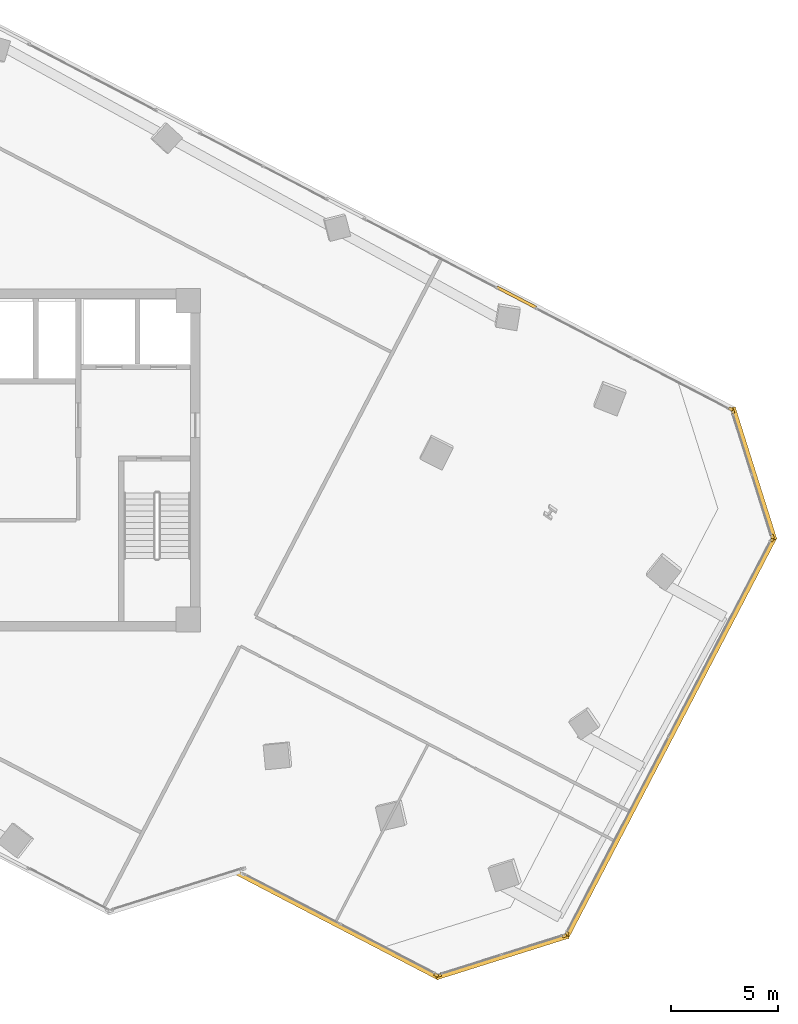
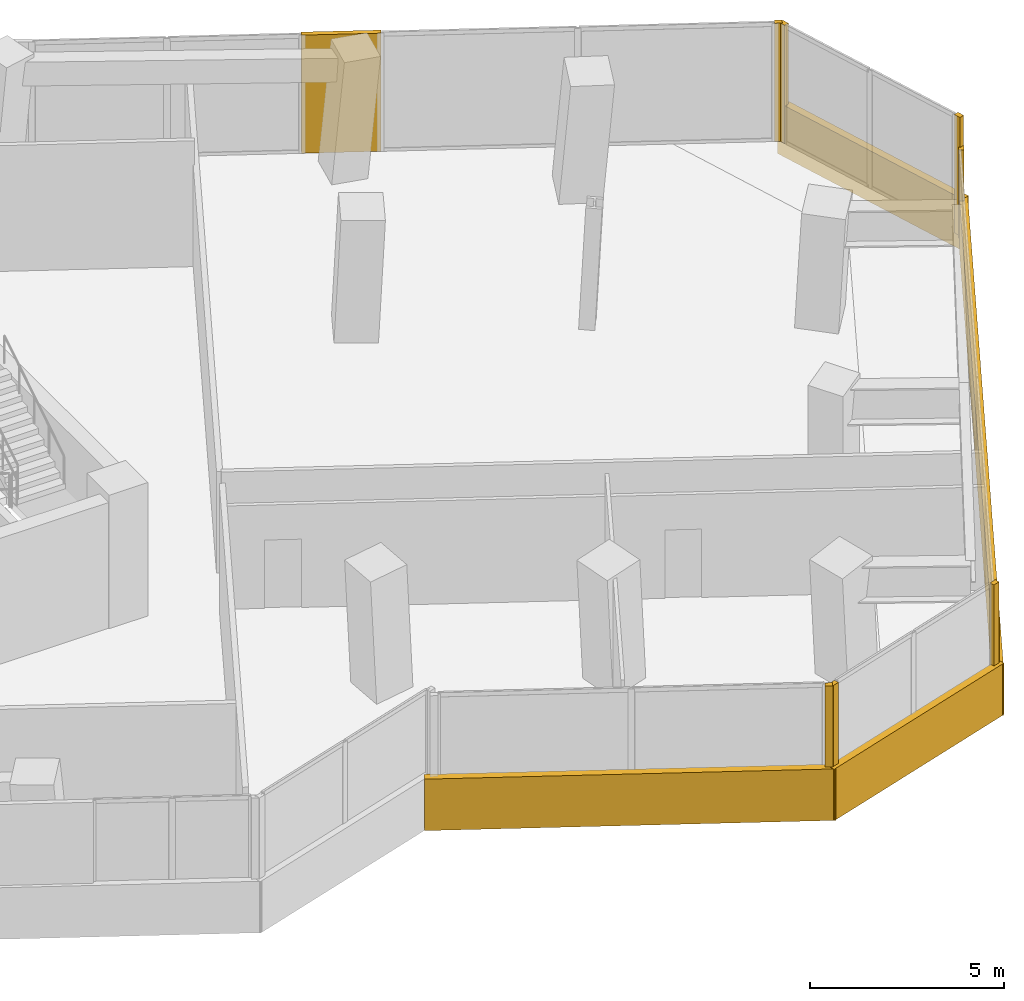
# One storey, part 21 of 22: 13 coverings.
"""IFC4 building model written with IfcOpenShell, lengths in metres."""

from ifc_helpers import new_model, si_unit, direction, frame, origin, origin_2d, place, context, subcontext, project, spatial, rectangle, extrude, source, transform, mapped, material, layer, layer_set, type_object, element, save


model = new_model("IFC4")

# Units and contexts
model_context = context("Model", 3, precision=1e-05, world=origin(), true_north=direction((0.0, 1.0)))
body_context = subcontext(model_context, "Body", "Model", "MODEL_VIEW")
ifc_project = project(units=[si_unit("LENGTHUNIT", "METRE"), si_unit("AREAUNIT", "SQUARE_METRE"), si_unit("VOLUMEUNIT", "CUBIC_METRE"), si_unit("PLANEANGLEUNIT", "RADIAN"), si_unit("MASSUNIT", "GRAM", prefix="KILO")], contexts=[model_context])

# Site, building, storey
site_placement = place(None, origin())
site = spatial("IfcSite", under=ifc_project, at=site_placement, CompositionType="ELEMENT")
building_placement = place(site_placement, origin())
building = spatial("IfcBuilding", under=site, at=building_placement, Name="Torre Montelarca", CompositionType="ELEMENT")
storey_placement = place(building_placement, frame((0.0, 0.0, 170.800048828125)))
storey = spatial("IfcBuildingStorey", under=building, at=storey_placement, Name="L38", CompositionType="ELEMENT", Elevation=170.800048828125)

# Coverings
ifc_material = material(Name="Bush-hammered warm white precast concrete C45/55", Category="concrete")
ifc_layer = layer(ifc_material, 0.139892578125, Name="Bush-hammered warm white precast concrete C45/55", Category="concrete")
ifc_layer_set = layer_set([ifc_layer], Name="Bush-hammered warm white precast concrete C45/55")
covering_type = type_object("IfcCoveringType", Name="COV-TRAY-CLAD", PredefinedType="CLADDING", material=ifc_layer_set)
shared_shape_1 = source(origin(), body_context, "Body", "SweptSolid", [
    extrude(rectangle(XDim=6.48388671875, YDim=0.219970703125, at=origin_2d()), origin(), (0.0, 0.0, 1.0), 1.6201171875),
])
for number, where, z_axis, x_axis, name in (
    (1, (41.127197265625, 8.785400390625, -0.4501953125), (0.0, 0.0, 1.0), (0.953721674106, 0.300690818516, 0.0), "L38 Architectural White Spandrel Tray Band TRYBOT-05"),
    (2, (52.882080078125, 31.36669921875, -0.4501953125), (0.0, 0.0, 1.0), (-0.300709128603, 0.953715901081, 0.0), "L38 Architectural White Spandrel Tray Band TRYBOT-07"),
):
    element("IfcCovering", number, at=place(storey_placement, frame(where, z_axis=z_axis, x_axis=x_axis)), inside=storey, type_object=covering_type, Name=name, PredefinedType="CLADDING", context=body_context, shape_type="MappedRepresentation", body=[
        mapped(shared_shape_1, transform((0.0, 0.0, 0.0), scale=1.0)),
    ])
shared_shape_2 = source(origin(), body_context, "Body", "SweptSolid", [
    extrude(rectangle(XDim=21.1201171875, YDim=0.219970703125, at=origin_2d()), origin(), (0.0, 0.0, 1.0), 1.6201171875),
])
covering_1_placement = place(storey_placement, frame((48.99267578125, 19.041015625, -0.4501953125), z_axis=(0.0, 0.0, 1.0), x_axis=(0.461747065108, 0.88701163908, 0.0)))
element("IfcCovering", 3, at=covering_1_placement, inside=storey, type_object=covering_type, Name="L38 Architectural White Spandrel Tray Band TRYBOT-06", PredefinedType="CLADDING", context=body_context, shape_type="MappedRepresentation", body=[
    mapped(shared_shape_2, transform((0.0, 0.0, 0.0), scale=1.0)),
])
shared_shape_3 = source(origin(), body_context, "Body", "SweptSolid", [
    extrude(rectangle(XDim=0.199951171875, YDim=0.139892578125, at=origin_2d()), origin(), (0.0, 0.0, 1.0), 3.719970703125),
])
for number, where, z_axis, x_axis, name in (
    (4, (38.040283203125, 7.933349609375, 0.0), (0.0, 0.0, 1.0), (0.88701163908, -0.461747065108, 0.0), "L38 Architectural Column Pier Cladding E04-2"),
    (5, (38.184814453125, 7.920654296875, 0.0), (0.0, 0.0, 1.0), (0.953723248507, 0.300685824837, 0.0), "L38 Architectural Column Pier Cladding E05-1"),
    (6, (44.033447265625, 9.7646484375, 0.0), (0.0, 0.0, 1.0), (0.953723248507, 0.300685824837, 0.0), "L38 Architectural Column Pier Cladding E05-2"),
    (7, (53.746826171875, 28.42431640625, 0.0), (0.0, 0.0, 1.0), (-0.300705799504, 0.953716950748, 0.0), "L38 Architectural Column Pier Cladding E07-1"),
    (8, (51.90283203125, 34.272705078125, 0.0), (0.0, 0.0, 1.0), (-0.300705799504, 0.953716950748, 0.0), "L38 Architectural Column Pier Cladding E07-2"),
    (9, (51.8095703125, 34.384033203125, 0.0), (0.0, 0.0, 1.0), (-0.887010833178, 0.461748613235, 0.0), "L38 Architectural Column Pier Cladding E08-1"),
):
    element("IfcCovering", number, at=place(storey_placement, frame(where, z_axis=z_axis, x_axis=x_axis)), inside=storey, type_object=covering_type, Name=name, PredefinedType="CLADDING", context=body_context, shape_type="MappedRepresentation", body=[
        mapped(shared_shape_3, transform((0.0, 0.0, 0.0), scale=1.0)),
    ])
shared_shape_4 = source(origin(), body_context, "Body", "SweptSolid", [
    extrude(rectangle(XDim=0.199951171875, YDim=0.139892578125, at=origin_2d()), origin(), (0.0, 0.0, 1.0), 2.77490234375),
])
for number, where, z_axis, x_axis, name in (
    (10, (44.14453125, 9.85791015625, 0.0), (0.0, 0.0, 1.0), (0.461743968851, 0.887013250876, 0.0), "L38 Architectural Column Pier Cladding E06-1"),
    (11, (53.734375, 28.27978515625, 0.0), (0.0, 0.0, 1.0), (0.461743968851, 0.887013250876, 0.0), "L38 Architectural Column Pier Cladding E06-2"),
):
    element("IfcCovering", number, at=place(storey_placement, frame(where, z_axis=z_axis, x_axis=x_axis)), inside=storey, type_object=covering_type, Name=name, PredefinedType="CLADDING", context=body_context, shape_type="MappedRepresentation", body=[
        mapped(shared_shape_4, transform((0.0, 0.0, 0.0), scale=1.0)),
    ])
shared_shape_5 = source(origin(), body_context, "Body", "SweptSolid", [
    extrude(rectangle(XDim=2.06005859375, YDim=0.139892578125, at=origin_2d()), origin(), (0.0, 0.0, 1.0), 3.719970703125),
])
covering_2_placement = place(storey_placement, frame((41.80029296875, 39.594482421875, 0.0), z_axis=(0.0, 0.0, 1.0), x_axis=(-0.887010833178, 0.461748613235, 0.0)))
element("IfcCovering", 12, at=covering_2_placement, inside=storey, type_object=covering_type, Name="L38 Architectural Column Pier Cladding E08-2", PredefinedType="CLADDING", context=body_context, shape_type="MappedRepresentation", body=[
    mapped(shared_shape_5, transform((0.0, 0.0, 0.0), scale=1.0)),
])
shared_shape_6 = source(origin(), body_context, "Body", "SweptSolid", [
    extrude(rectangle(XDim=10.6201171875, YDim=0.219970703125, at=origin_2d()), origin(), (0.0, 0.0, 1.0), 1.6201171875),
])
covering_3_placement = place(storey_placement, frame((33.45849609375, 10.250732421875, -0.4501953125), z_axis=(0.0, 0.0, 1.0), x_axis=(0.887013250876, -0.461743968851, 0.0)))
element("IfcCovering", 13, at=covering_3_placement, inside=storey, type_object=covering_type, Name="L38 Architectural White Spandrel Tray Band TRYBOT-04", PredefinedType="CLADDING", context=body_context, shape_type="MappedRepresentation", body=[
    mapped(shared_shape_6, transform((0.0, 0.0, 0.0), scale=1.0)),
])

save(model, "model.ifc")
